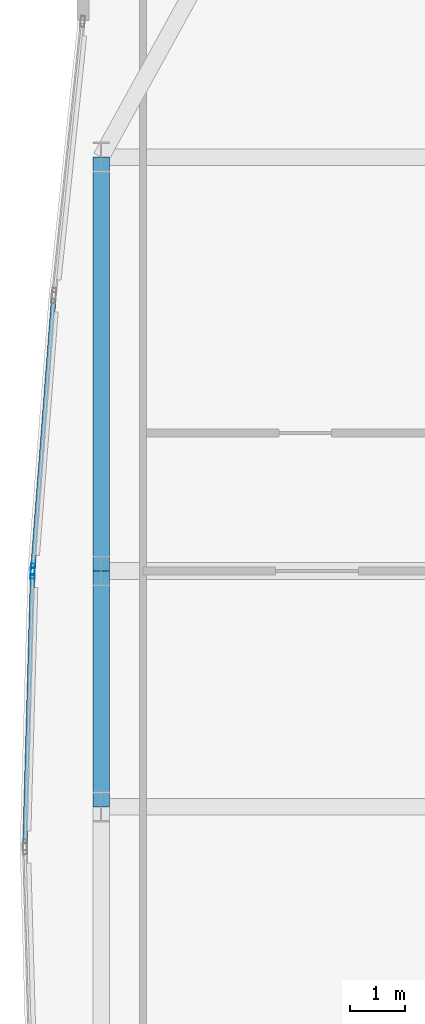
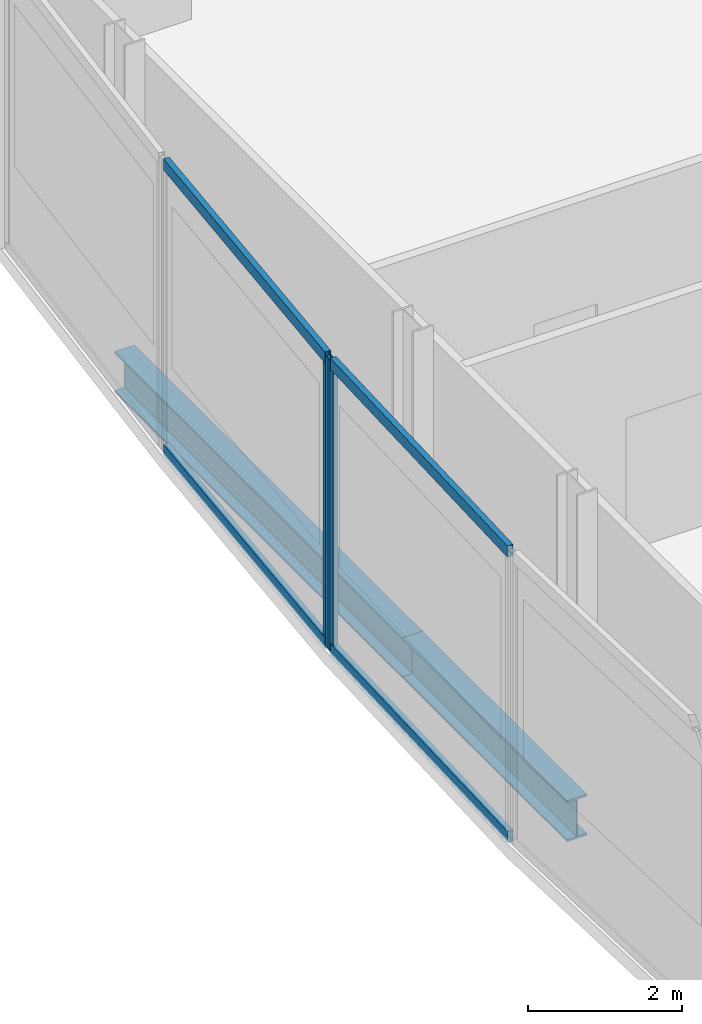
# One storey, part 11 of 32: 6 members, 2 beams, 2 elements without a shape of their own.
"""IFC4 building model written with IfcOpenShell, lengths in metres."""

from ifc_helpers import new_model, si_unit, direction, frame, origin, origin_2d, place, context, subcontext, project, spatial, hollow_rectangle, i_section, extrude, material, material_profile, profile_set, type_object, element, aggregate, save


model = new_model("IFC4")

# Units and contexts
model_context = context("Model", 3, precision=1e-05, world=origin(), true_north=direction((0.0, 1.0)))
body_context = subcontext(model_context, "Body", "Model", "MODEL_VIEW")
ifc_project = project(units=[si_unit("LENGTHUNIT", "METRE"), si_unit("AREAUNIT", "SQUARE_METRE"), si_unit("VOLUMEUNIT", "CUBIC_METRE"), si_unit("PLANEANGLEUNIT", "RADIAN"), si_unit("MASSUNIT", "GRAM", prefix="KILO")], contexts=[model_context])

# Site, building, storey
site_placement = place(None, origin())
site = spatial("IfcSite", under=ifc_project, at=site_placement, CompositionType="ELEMENT")
building_placement = place(site_placement, origin())
building = spatial("IfcBuilding", under=site, at=building_placement, Name="Khoronbel Lancet Exchange", CompositionType="ELEMENT")
storey_placement = place(building_placement, frame((0.0, 0.0, 85.800048828125)))
storey = spatial("IfcBuildingStorey", under=building, at=storey_placement, Name="L20", CompositionType="ELEMENT", Elevation=85.800048828125)

# Beams
ifc_material_1 = material(Name="Steel S355", Category="steel")
ifc_material_profile_1 = material_profile(ifc_material_1, i_section(OverallWidth=0.300048828125, OverallDepth=0.64990234375, WebThickness=0.01611328125, FlangeThickness=0.031005859375, at=origin_2d()), Name="HEB 650")
ifc_profile_set_1 = profile_set([ifc_material_profile_1], Name="Steel S355")
beam_type = type_object("IfcBeamType", Name="BM-BSP1", PredefinedType="SPANDREL", material=ifc_profile_set_1)
beam_1_placement = place(storey_placement, frame((3.27001953125, 43.199951171875, -0.545166015625), z_axis=(0.0, -1.0, 0.0), x_axis=(1.0, 0.0, 0.0)))
element("IfcBeam", 1, at=beam_1_placement, inside=storey, type_object=beam_type, Name="Level L20 perimeter spandrel beam SP17", PredefinedType="SPANDREL", context=body_context, shape_type="SweptSolid", body=[
    extrude(i_section(OverallWidth=0.300048828125, OverallDepth=0.64990234375, WebThickness=0.01611328125, FlangeThickness=0.031005859375, at=origin_2d()), origin(), (0.0, 0.0, 1.0), 7.5),
])
beam_2_placement = place(storey_placement, frame((3.27001953125, 35.699951171875, -0.545166015625), z_axis=(0.0, -1.0, 0.0), x_axis=(1.0, 0.0, 0.0)))
element("IfcBeam", 2, at=beam_2_placement, inside=storey, type_object=beam_type, Name="Level L20 perimeter spandrel beam SP18", PredefinedType="SPANDREL", context=body_context, shape_type="SweptSolid", body=[
    extrude(i_section(OverallWidth=0.300048828125, OverallDepth=0.64990234375, WebThickness=0.01611328125, FlangeThickness=0.031005859375, at=origin_2d()), origin(), (0.0, 0.0, 1.0), 4.27490234375),
])

# Curtain wall, member
ifc_material_2 = material(Name="Low-E Solar Control Insulating Glass", Category="glass")
curtain_wall_type = type_object("IfcCurtainWallType", Name="CW-4", PredefinedType="NOTDEFINED", material=ifc_material_2)
curtain_wall_1_placement = place(storey_placement, origin())
curtain_wall_1 = element("IfcCurtainWall", 3, at=curtain_wall_1_placement, inside=storey, type_object=curtain_wall_type, Name="Unitised curtain wall CW-L20-E07", PredefinedType="NOTDEFINED")
ifc_material_3 = material(Name="Bronze-Anodised Aluminium 6063-T6", Category="aluminium")
ifc_material_profile_2 = material_profile(ifc_material_3, hollow_rectangle(XDim=0.074951171875, YDim=0.199951171875, WallThickness=0.0048828125, at=origin_2d()), Name="ALU MULLION 75x200")
ifc_profile_set_2 = profile_set([ifc_material_profile_2], Name="Bronze-Anodised Aluminium 6063-T6")
member_type_1 = type_object("IfcMemberType", Name="MEM-CWM2", PredefinedType="MULLION", material=ifc_profile_set_2)
member_1_placement = place(storey_placement, frame((2.029541015625, 35.65771484375, 0.0), z_axis=(0.0, 0.0, 1.0), x_axis=(-0.999604123662, 0.028135315146, 0.0)))
member_1 = element("IfcMember", 4, at=member_1_placement, type_object=member_type_1, Name="CW4 mullion 2", PredefinedType="MULLION", context=body_context, shape_type="SweptSolid", body=[
    extrude(hollow_rectangle(XDim=0.074951171875, YDim=0.199951171875, WallThickness=0.0048828125, at=origin_2d()), origin(), (0.0, 0.0, 1.0), 4.619873046875),
])

curtain_wall_2_placement = place(storey_placement, origin())
curtain_wall_2 = element("IfcCurtainWall", 5, at=curtain_wall_2_placement, inside=storey, type_object=curtain_wall_type, Name="Unitised curtain wall CW-L20-E08", PredefinedType="NOTDEFINED")
member_2_placement = place(storey_placement, frame((2.033447265625, 35.732666015625, 0.0), z_axis=(0.0, 0.0, 1.0), x_axis=(-0.997059882555, 0.076626304874, 0.0)))
member_2 = element("IfcMember", 6, at=member_2_placement, type_object=member_type_1, Name="CW4 mullion 1", PredefinedType="MULLION", context=body_context, shape_type="SweptSolid", body=[
    extrude(hollow_rectangle(XDim=0.074951171875, YDim=0.199951171875, WallThickness=0.0048828125, at=origin_2d()), origin(), (0.0, 0.0, 1.0), 4.619873046875),
])

# Member
ifc_material_profile_3 = material_profile(ifc_material_3, hollow_rectangle(XDim=0.0849609375, YDim=0.179931640625, WallThickness=0.0048828125, at=origin_2d()), Name="ALU TRANSOM 85x180")
ifc_profile_set_3 = profile_set([ifc_material_profile_3], Name="Bronze-Anodised Aluminium 6063-T6")
member_type_2 = type_object("IfcMemberType", Name="MEM-CWT1", PredefinedType="USERDEFINED", material=ifc_profile_set_3)
member_3_placement = place(storey_placement, frame((1.89208984375, 30.77490234375, 0.04248046875), z_axis=(0.028154300716, 0.999603589105, 0.0), x_axis=(-0.999603589105, 0.028154300716, 0.0)))
member_3 = element("IfcMember", 7, at=member_3_placement, type_object=member_type_2, Name="CW4 transom 1.1", ObjectType="TRANSOM", PredefinedType="USERDEFINED", context=body_context, shape_type="SweptSolid", body=[
    extrude(hollow_rectangle(XDim=0.0849609375, YDim=0.179931640625, WallThickness=0.0048828125, at=origin_2d()), origin(), (0.0, 0.0, 1.0), 4.847412109375),
])

member_4_placement = place(storey_placement, frame((1.89208984375, 30.77490234375, 4.577392578125), z_axis=(0.028154300716, 0.999603589105, 0.0), x_axis=(-0.999603589105, 0.028154300716, 0.0)))
member_4 = element("IfcMember", 8, at=member_4_placement, type_object=member_type_2, Name="CW4 transom 1.2", ObjectType="TRANSOM", PredefinedType="USERDEFINED", context=body_context, shape_type="SweptSolid", body=[
    extrude(hollow_rectangle(XDim=0.0849609375, YDim=0.179931640625, WallThickness=0.0048828125, at=origin_2d()), origin(), (0.0, 0.0, 1.0), 4.847412109375),
])

aggregate(curtain_wall_1, [member_1, member_3, member_4])

member_5_placement = place(storey_placement, frame((2.036376953125, 35.77001953125, 0.04248046875), z_axis=(0.076635053626, 0.997059210155, 0.0), x_axis=(-0.997059210155, 0.076635053626, 0.0)))
member_5 = element("IfcMember", 9, at=member_5_placement, type_object=member_type_2, Name="CW4 transom 1.1", ObjectType="TRANSOM", PredefinedType="USERDEFINED", context=body_context, shape_type="SweptSolid", body=[
    extrude(hollow_rectangle(XDim=0.0849609375, YDim=0.179931640625, WallThickness=0.0048828125, at=origin_2d()), origin(), (0.0, 0.0, 1.0), 4.861572265625),
])

member_6_placement = place(storey_placement, frame((2.036376953125, 35.77001953125, 4.577392578125), z_axis=(0.076635053626, 0.997059210155, 0.0), x_axis=(-0.997059210155, 0.076635053626, 0.0)))
member_6 = element("IfcMember", 10, at=member_6_placement, type_object=member_type_2, Name="CW4 transom 1.2", ObjectType="TRANSOM", PredefinedType="USERDEFINED", context=body_context, shape_type="SweptSolid", body=[
    extrude(hollow_rectangle(XDim=0.0849609375, YDim=0.179931640625, WallThickness=0.0048828125, at=origin_2d()), origin(), (0.0, 0.0, 1.0), 4.861572265625),
])

aggregate(curtain_wall_2, [member_2, member_5, member_6])

save(model, "model.ifc")
